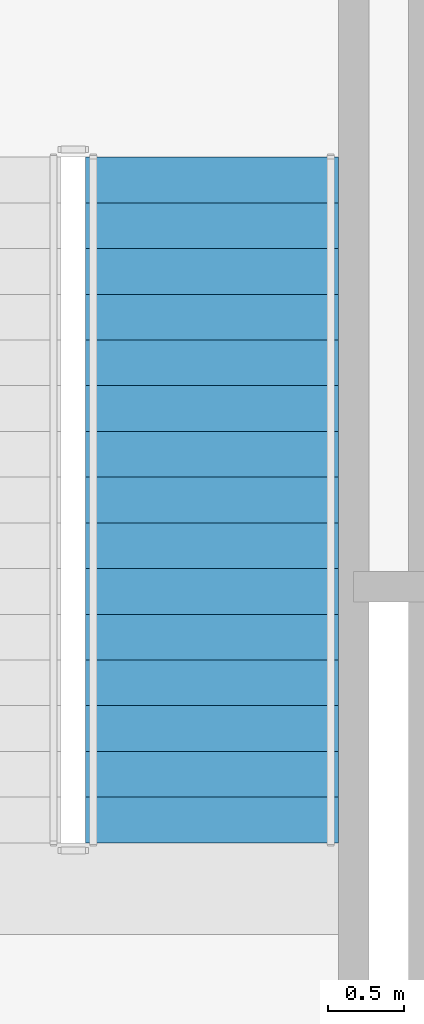
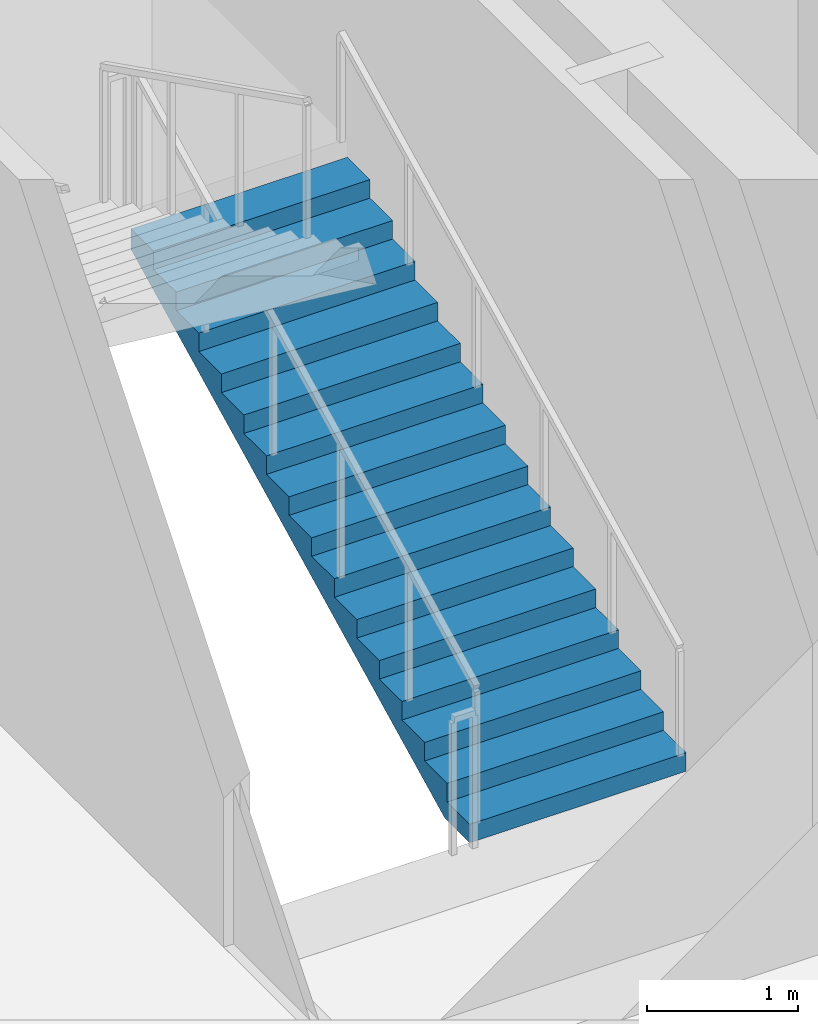
# One storey, part 21 of 25: 1 stair flight, 1 element without a shape of its own.
"""IFC4 building model written with IfcOpenShell, lengths in metres."""

from ifc_helpers import new_model, si_unit, direction, frame, origin, place, context, subcontext, project, spatial, polyline, outline, extrude, material, type_object, element, aggregate, save


model = new_model("IFC4")

# Units and contexts
model_context = context("Model", 3, precision=1e-05, world=origin(), true_north=direction((0.0, 1.0)))
body_context = subcontext(model_context, "Body", "Model", "MODEL_VIEW")
ifc_project = project(units=[si_unit("LENGTHUNIT", "METRE"), si_unit("AREAUNIT", "SQUARE_METRE"), si_unit("VOLUMEUNIT", "CUBIC_METRE"), si_unit("PLANEANGLEUNIT", "RADIAN"), si_unit("MASSUNIT", "GRAM", prefix="KILO"), si_unit("THERMODYNAMICTEMPERATUREUNIT", "KELVIN"), si_unit("POWERUNIT", "WATT")], contexts=[model_context])

# Site, building, storey
site_placement = place(None, origin())
site = spatial("IfcSite", under=ifc_project, at=site_placement, CompositionType="ELEMENT")
building_placement = place(site_placement, origin())
building = spatial("IfcBuilding", under=site, at=building_placement, Name="Svarakhadi Broadcast Tower", CompositionType="ELEMENT")
storey_placement = place(building_placement, frame((0.0, 0.0, 110.85009765625)))
storey = spatial("IfcBuildingStorey", under=building, at=storey_placement, Name="L26", CompositionType="ELEMENT", Elevation=110.85009765625)

# Stair, stair flight
ifc_material = material(Name="Concrete C40/50 (IS 456 M50)", Category="concrete")
stair_type = type_object("IfcStairType", Name="Stair_Exit_Core", PredefinedType="HALF_TURN_STAIR", material=ifc_material)
stair_placement = place(storey_placement, origin())
stair = element("IfcStair", 1, at=stair_placement, inside=storey, type_object=stair_type, Name="L26 East Core Protected Exit Stair ST-02", PredefinedType="HALF_TURN_STAIR")
stair_flight_type = type_object("IfcStairFlightType", Name="Flight_RC_1680", PredefinedType="STRAIGHT", material=ifc_material)
stair_flight_placement = place(storey_placement, frame((32.010009765625, 7.97998046875, 0.0), z_axis=(0.0, 0.0, 1.0), x_axis=(0.0, 1.0, 0.0)))
stair_flight = element("IfcStairFlight", 2, at=stair_flight_placement, type_object=stair_flight_type, Name="ST-02 flight 1", NumberOfRisers=16, NumberOfTreads=15, PredefinedType="STRAIGHT", RiserHeight=0.15, TreadLength=0.3, context=body_context, shape_type="SweptSolid", body=[
    extrude(outline(polyline([(0.0, 0.0), (0.0, 0.14990234375), (0.300048828125, 0.14990234375), (0.300048828125, 0.300048828125), (0.60009765625, 0.300048828125), (0.60009765625, 0.449951171875), (0.89990234375, 0.449951171875), (0.89990234375, 0.60009765625), (1.199951171875, 0.60009765625), (1.199951171875, 0.75), (1.5, 0.75), (1.5, 0.89990234375), (1.800048828125, 0.89990234375), (1.800048828125, 1.050048828125), (2.10009765625, 1.050048828125), (2.10009765625, 1.199951171875), (2.39990234375, 1.199951171875), (2.39990234375, 1.35009765625), (2.699951171875, 1.35009765625), (2.699951171875, 1.5), (3.0, 1.5), (3.0, 1.64990234375), (3.300048828125, 1.64990234375), (3.300048828125, 1.800048828125), (3.60009765625, 1.800048828125), (3.60009765625, 1.949951171875), (3.89990234375, 1.949951171875), (3.89990234375, 2.10009765625), (4.199951171875, 2.10009765625), (4.199951171875, 2.25), (4.5, 2.25), (4.5, 2.39990234375), (4.5, 2.08251953125), (0.335205078125, 0.0), (0.0, 0.0)])), frame((0.0, 0.830078125, 0.0), z_axis=(0.0, -1.0, 0.0), x_axis=(1.0, 0.0, 0.0)), (0.0, 0.0, 1.0), 1.659912109375),
])
aggregate(stair, [stair_flight])

save(model, "model.ifc")
